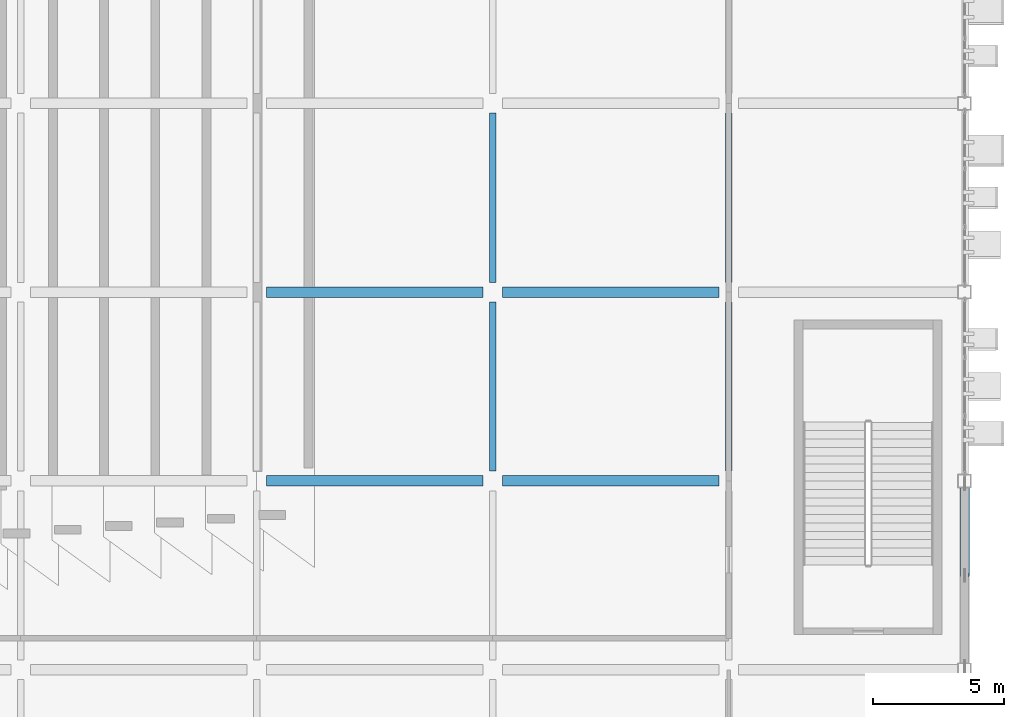
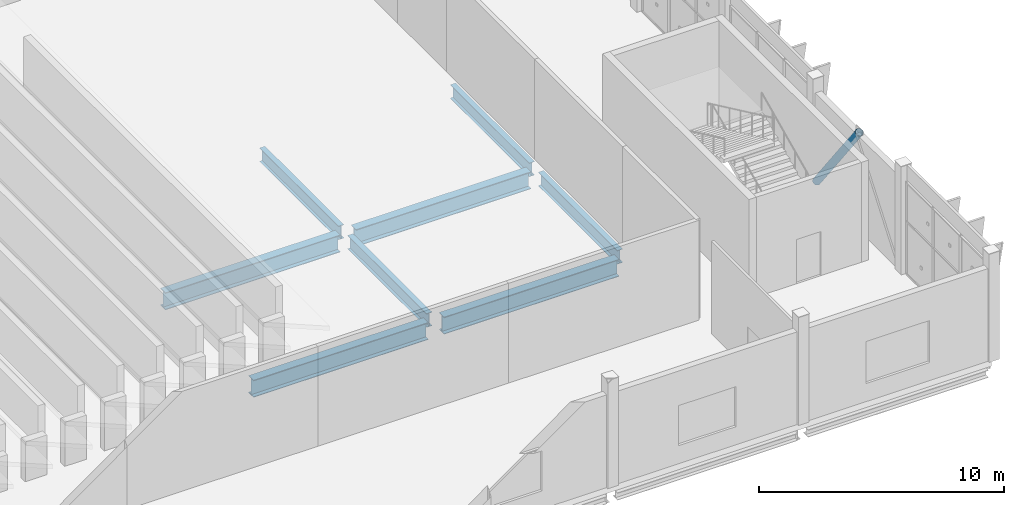
# One storey, part 106 of 189: 8 beams, 1 member.
"""IFC4 building model written with IfcOpenShell, lengths in metres."""

from ifc_helpers import new_model, si_unit, direction, frame, origin, origin_2d, place, context, subcontext, project, spatial, hollow_circle, i_section, extrude, material, material_profile, profile_set, type_object, element, save


model = new_model("IFC4")

# Units and contexts
model_context = context("Model", 3, precision=1e-05, world=origin(), true_north=direction((0.0, 1.0)))
body_context = subcontext(model_context, "Body", "Model", "MODEL_VIEW")
ifc_project = project(units=[si_unit("LENGTHUNIT", "METRE"), si_unit("AREAUNIT", "SQUARE_METRE"), si_unit("VOLUMEUNIT", "CUBIC_METRE"), si_unit("PLANEANGLEUNIT", "RADIAN"), si_unit("MASSUNIT", "GRAM", prefix="KILO")], contexts=[model_context])

# Site, building, storey
site_placement = place(None, origin())
site = spatial("IfcSite", under=ifc_project, at=site_placement, CompositionType="ELEMENT")
building_placement = place(site_placement, origin())
building = spatial("IfcBuilding", under=site, at=building_placement, Name="Celestram Park Convention Centre", CompositionType="ELEMENT")
storey_placement = place(building_placement, frame((0.0, 0.0, 5.39990234375)))
storey = spatial("IfcBuildingStorey", under=building, at=storey_placement, Name="L01", CompositionType="ELEMENT", Elevation=5.39990234375)

# Beams
ifc_material_1 = material(Name="Steel ASTM A992 Grade 50", Category="steel")
ifc_material_profile_1 = material_profile(ifc_material_1, i_section(OverallWidth=0.25390625, OverallDepth=0.68310546875, WebThickness=0.012451171875, FlangeThickness=0.01904296875, at=origin_2d()), Name="W27X94")
ifc_profile_set_1 = profile_set([ifc_material_profile_1], Name="Steel ASTM A992 Grade 50")
beam_type_1 = type_object("IfcBeamType", Name="STR-BM-W27X94", PredefinedType="BEAM", material=ifc_profile_set_1)
beam_1_placement = place(storey_placement, frame((198.0, 129.972900390625, -0.761474609375), z_axis=(0.0, 1.0, 0.0), x_axis=(-1.0, 0.0, 0.0)))
element("IfcBeam", 1, at=beam_1_placement, inside=storey, type_object=beam_type_1, Name="Primary Y-girder BG-L01-0502", PredefinedType="BEAM", context=body_context, shape_type="SweptSolid", body=[
    extrude(i_section(OverallWidth=0.25390625, OverallDepth=0.68310546875, WebThickness=0.012451171875, FlangeThickness=0.01904296875, at=origin_2d()), origin(), (0.0, 0.0, 1.0), 6.4541015625),
])
beam_2_placement = place(storey_placement, frame((198.0, 137.173095703125, -0.761474609375), z_axis=(0.0, 1.0, 0.0), x_axis=(-1.0, 0.0, 0.0)))
element("IfcBeam", 2, at=beam_2_placement, inside=storey, type_object=beam_type_1, Name="Primary Y-girder BG-L01-0504", PredefinedType="BEAM", context=body_context, shape_type="SweptSolid", body=[
    extrude(i_section(OverallWidth=0.25390625, OverallDepth=0.68310546875, WebThickness=0.012451171875, FlangeThickness=0.01904296875, at=origin_2d()), origin(), (0.0, 0.0, 1.0), 6.453857421875),
])
beam_3_placement = place(storey_placement, frame((207.0, 129.972900390625, -0.761474609375), z_axis=(0.0, 1.0, 0.0), x_axis=(-1.0, 0.0, 0.0)))
element("IfcBeam", 3, at=beam_3_placement, inside=storey, type_object=beam_type_1, Name="Primary Y-girder BG-L01-0525", PredefinedType="BEAM", context=body_context, shape_type="SweptSolid", body=[
    extrude(i_section(OverallWidth=0.25390625, OverallDepth=0.68310546875, WebThickness=0.012451171875, FlangeThickness=0.01904296875, at=origin_2d()), origin(), (0.0, 0.0, 1.0), 6.4541015625),
])
beam_4_placement = place(storey_placement, frame((207.0, 137.173095703125, -0.761474609375), z_axis=(0.0, 1.0, 0.0), x_axis=(-1.0, 0.0, 0.0)))
element("IfcBeam", 4, at=beam_4_placement, inside=storey, type_object=beam_type_1, Name="Primary Y-girder BG-L01-0527", PredefinedType="BEAM", context=body_context, shape_type="SweptSolid", body=[
    extrude(i_section(OverallWidth=0.25390625, OverallDepth=0.68310546875, WebThickness=0.012451171875, FlangeThickness=0.01904296875, at=origin_2d()), origin(), (0.0, 0.0, 1.0), 6.453857421875),
])
ifc_material_profile_2 = material_profile(ifc_material_1, i_section(OverallWidth=0.40087890625, OverallDepth=0.85595703125, WebThickness=0.018310546875, FlangeThickness=0.029296875, at=origin_2d()), Name="W33X201")
ifc_profile_set_2 = profile_set([ifc_material_profile_2], Name="Steel ASTM A992 Grade 50")
beam_type_2 = type_object("IfcBeamType", Name="STR-BM-W33X201", PredefinedType="BEAM", material=ifc_profile_set_2)
for number, where, z_axis, x_axis, name in (
    (5, (189.373046875, 129.60009765625, -0.847900390625), (1.0, 0.0, 0.0), (0.0, 1.0, 0.0), "Primary X-girder BG-L01-0475"),
    (6, (189.373046875, 136.800048828125, -0.847900390625), (1.0, 0.0, 0.0), (0.0, 1.0, 0.0), "Primary X-girder BG-L01-0477"),
    (7, (198.373046875, 129.60009765625, -0.847900390625), (1.0, 0.0, 0.0), (0.0, 1.0, 0.0), "Primary X-girder BG-L01-0501"),
    (8, (198.373046875, 136.800048828125, -0.847900390625), (1.0, 0.0, 0.0), (0.0, 1.0, 0.0), "Primary X-girder BG-L01-0503"),
):
    element("IfcBeam", number, at=place(storey_placement, frame(where, z_axis=z_axis, x_axis=x_axis)), inside=storey, type_object=beam_type_2, Name=name, PredefinedType="BEAM", context=body_context, shape_type="SweptSolid", body=[
        extrude(i_section(OverallWidth=0.40087890625, OverallDepth=0.85595703125, WebThickness=0.018310546875, FlangeThickness=0.029296875, at=origin_2d()), origin(), (0.0, 0.0, 1.0), 8.25390625),
    ])

# Member
ifc_material_2 = material(Name="Steel ASTM A500 Grade C", Category="steel")
ifc_material_profile_3 = material_profile(ifc_material_2, hollow_circle(Radius=0.177978515625, WallThickness=0.011962890625, at=origin_2d()), Name="CHS356X12")
ifc_profile_set_3 = profile_set([ifc_material_profile_3], Name="Steel ASTM A500 Grade C")
member_type = type_object("IfcMemberType", Name="STR-BRC-CHS356", PredefinedType="BRACE", material=ifc_profile_set_3)
member_placement = place(storey_placement, frame((216.0, 129.47998046875, 0.150146484375), z_axis=(0.0, -0.607508638933, 0.794313070282), x_axis=(1.0, 0.0, 0.0)))
element("IfcMember", 9, at=member_placement, inside=storey, type_object=member_type, Name="Chevron braced-frame diagonal BF-L01-012", PredefinedType="BRACE", context=body_context, shape_type="SweptSolid", body=[
    extrude(hollow_circle(Radius=0.177978515625, WallThickness=0.011962890625, at=origin_2d()), origin(), (0.0, 0.0, 1.0), 5.728271484375),
])

save(model, "model.ifc")
